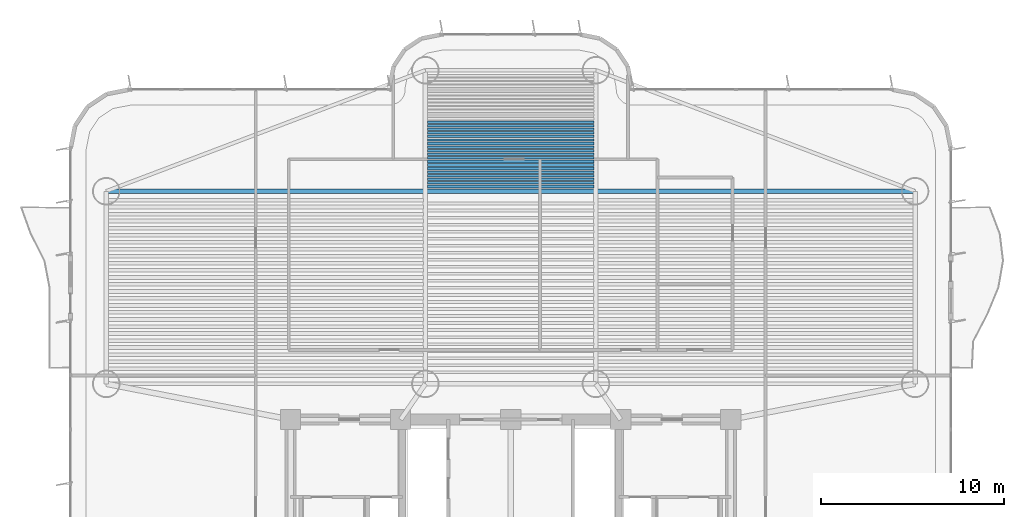
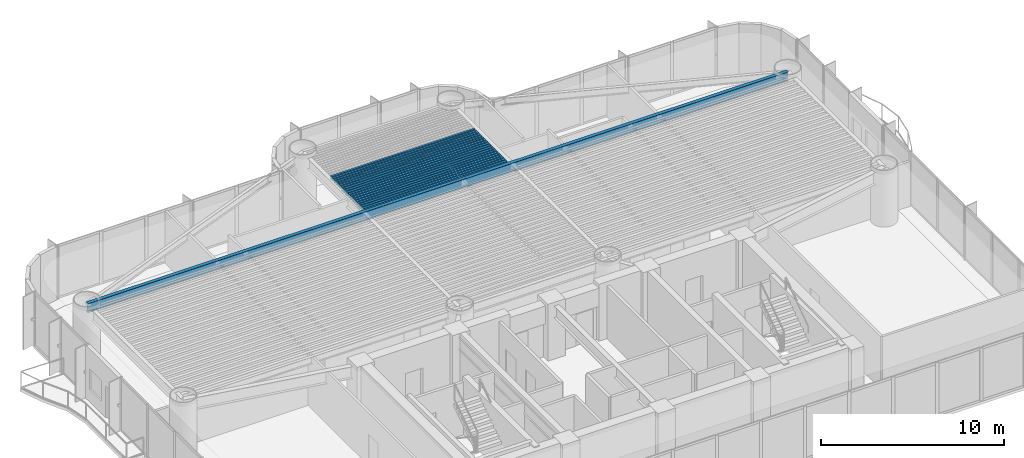
# One storey, part 4 of 16: 20 beams.
"""IFC4 building model written with IfcOpenShell, lengths in metres."""

from ifc_helpers import new_model, si_unit, direction, frame, origin, origin_2d, place, context, subcontext, project, spatial, i_section, extrude, source, transform, mapped, material, material_profile, profile_set, type_object, element, save


model = new_model("IFC4")

# Units and contexts
model_context = context("Model", 3, precision=1e-05, world=origin(), true_north=direction((0.0, 1.0)))
body_context = subcontext(model_context, "Body", "Model", "MODEL_VIEW")
ifc_project = project(units=[si_unit("LENGTHUNIT", "METRE"), si_unit("AREAUNIT", "SQUARE_METRE"), si_unit("VOLUMEUNIT", "CUBIC_METRE"), si_unit("PLANEANGLEUNIT", "RADIAN"), si_unit("MASSUNIT", "GRAM", prefix="KILO")], contexts=[model_context])

# Site, building, storey
site_placement = place(None, origin())
site = spatial("IfcSite", under=ifc_project, at=site_placement, CompositionType="ELEMENT")
building_placement = place(site_placement, origin())
building = spatial("IfcBuilding", under=site, at=building_placement, Name="Brelvock Crest Care Tower", CompositionType="ELEMENT")
storey_placement = place(building_placement, frame((0.0, 0.0, 57.239990234375)))
storey = spatial("IfcBuildingStorey", under=building, at=storey_placement, Name="L14", CompositionType="ELEMENT", Elevation=57.239990234375)

# Beams
ifc_material = material(Name="Steel Grade 350", Category="steel")
ifc_material_profile_1 = material_profile(ifc_material, i_section(OverallWidth=0.22900390625, OverallDepth=0.612060546875, WebThickness=0.011962890625, FlangeThickness=0.01953125, FilletRadius=0.013916015625, at=origin_2d()), Name="610UB125")
ifc_profile_set_1 = profile_set([ifc_material_profile_1], Name="Steel Grade 350")
beam_type_1 = type_object("IfcBeamType", Name="BM-G1", PredefinedType="BEAM", material=ifc_profile_set_1)
shared_shape_1 = source(origin(), body_context, "Body", "SweptSolid", [
    extrude(i_section(OverallWidth=0.22900390625, OverallDepth=0.612060546875, WebThickness=0.011962890625, FlangeThickness=0.01953125, FilletRadius=0.013916015625, at=origin_2d()), origin(), (0.0, 0.0, 1.0), 44.10009765625),
])
beam_placement = place(storey_placement, frame((13.949951171875, 30.449951171875, 3.22412109375), z_axis=(1.0, 0.0, 0.0), x_axis=(0.0, 1.0, 0.0)))
element("IfcBeam", 1, at=beam_placement, inside=storey, type_object=beam_type_1, Name="BM-TWR-L14-11", PredefinedType="BEAM", context=body_context, shape_type="MappedRepresentation", body=[
    mapped(shared_shape_1, transform((0.0, 0.0, 0.0), x_axis=(1.0, 0.0, 0.0), y_axis=(0.0, 1.0, 0.0), z_axis=(0.0, 0.0, 1.0), scale=1.0)),
])
ifc_material_profile_2 = material_profile(ifc_material, i_section(OverallWidth=0.14599609375, OverallDepth=0.256103515625, WebThickness=0.00634765625, FlangeThickness=0.010986328125, FilletRadius=0.0087890625, at=origin_2d()), Name="250UB37.3")
ifc_profile_set_2 = profile_set([ifc_material_profile_2], Name="Steel Grade 350")
beam_type_2 = type_object("IfcBeamType", Name="BM-J3", PredefinedType="JOIST", material=ifc_profile_set_2)
shared_shape_2 = source(origin(), body_context, "Body", "SweptSolid", [
    extrude(i_section(OverallWidth=0.14599609375, OverallDepth=0.256103515625, WebThickness=0.00634765625, FlangeThickness=0.010986328125, FilletRadius=0.0087890625, at=origin_2d()), origin(), (0.0, 0.0, 1.0), 9.06982421875),
])
for number, where, z_axis, x_axis, name in (
    (2, (31.465087890625, 30.714111328125, 3.402099609375), (1.0, 0.0, 0.0), (0.0, 1.0, 0.0), "BM-JN-L14-1"),
    (3, (31.465087890625, 30.90869140625, 3.402099609375), (1.0, 0.0, 0.0), (0.0, 1.0, 0.0), "BM-JN-L14-2"),
    (4, (31.465087890625, 31.103515625, 3.402099609375), (1.0, 0.0, 0.0), (0.0, 1.0, 0.0), "BM-JN-L14-3"),
    (5, (31.465087890625, 31.298095703125, 3.402099609375), (1.0, 0.0, 0.0), (0.0, 1.0, 0.0), "BM-JN-L14-4"),
    (6, (31.465087890625, 31.492919921875, 3.402099609375), (1.0, 0.0, 0.0), (0.0, 1.0, 0.0), "BM-JN-L14-5"),
    (7, (31.465087890625, 31.6875, 3.402099609375), (1.0, 0.0, 0.0), (0.0, 1.0, 0.0), "BM-JN-L14-6"),
    (8, (31.465087890625, 31.882080078125, 3.402099609375), (1.0, 0.0, 0.0), (0.0, 1.0, 0.0), "BM-JN-L14-7"),
    (9, (31.465087890625, 32.076904296875, 3.402099609375), (1.0, 0.0, 0.0), (0.0, 1.0, 0.0), "BM-JN-L14-8"),
    (10, (31.465087890625, 32.271484375, 3.402099609375), (1.0, 0.0, 0.0), (0.0, 1.0, 0.0), "BM-JN-L14-9"),
    (11, (31.465087890625, 32.46630859375, 3.402099609375), (1.0, 0.0, 0.0), (0.0, 1.0, 0.0), "BM-JN-L14-10"),
    (12, (31.465087890625, 32.660888671875, 3.402099609375), (1.0, 0.0, 0.0), (0.0, 1.0, 0.0), "BM-JN-L14-11"),
    (13, (31.465087890625, 32.855712890625, 3.402099609375), (1.0, 0.0, 0.0), (0.0, 1.0, 0.0), "BM-JN-L14-12"),
    (14, (31.465087890625, 33.05029296875, 3.402099609375), (1.0, 0.0, 0.0), (0.0, 1.0, 0.0), "BM-JN-L14-13"),
):
    element("IfcBeam", number, at=place(storey_placement, frame(where, z_axis=z_axis, x_axis=x_axis)), inside=storey, type_object=beam_type_2, Name=name, PredefinedType="JOIST", context=body_context, shape_type="MappedRepresentation", body=[
        mapped(shared_shape_2, transform((0.0, 0.0, 0.0), x_axis=(1.0, 0.0, 0.0), y_axis=(0.0, 1.0, 0.0), z_axis=(0.0, 0.0, 1.0), scale=1.0)),
    ])
ifc_material_profile_3 = material_profile(ifc_material, i_section(OverallWidth=0.134033203125, OverallDepth=0.20703125, WebThickness=0.00634765625, FlangeThickness=0.009521484375, FilletRadius=0.0087890625, at=origin_2d()), Name="200UB29.8")
ifc_profile_set_3 = profile_set([ifc_material_profile_3], Name="Steel Grade 350")
beam_type_3 = type_object("IfcBeamType", Name="BM-J4", PredefinedType="JOIST", material=ifc_profile_set_3)
shared_shape_3 = source(origin(), body_context, "Body", "SweptSolid", [
    extrude(i_section(OverallWidth=0.134033203125, OverallDepth=0.20703125, WebThickness=0.00634765625, FlangeThickness=0.009521484375, FilletRadius=0.0087890625, at=origin_2d()), origin(), (0.0, 0.0, 1.0), 9.06982421875),
])
for number, where, z_axis, x_axis, name in (
    (15, (31.465087890625, 33.2451171875, 3.426513671875), (1.0, 0.0, 0.0), (0.0, 1.0, 0.0), "BM-JN-L14-14"),
    (16, (31.465087890625, 33.439697265625, 3.426513671875), (1.0, 0.0, 0.0), (0.0, 1.0, 0.0), "BM-JN-L14-15"),
    (17, (31.465087890625, 33.634521484375, 3.426513671875), (1.0, 0.0, 0.0), (0.0, 1.0, 0.0), "BM-JN-L14-16"),
    (18, (31.465087890625, 33.8291015625, 3.426513671875), (1.0, 0.0, 0.0), (0.0, 1.0, 0.0), "BM-JN-L14-17"),
    (19, (31.465087890625, 34.02392578125, 3.426513671875), (1.0, 0.0, 0.0), (0.0, 1.0, 0.0), "BM-JN-L14-18"),
    (20, (31.465087890625, 34.218505859375, 3.426513671875), (1.0, 0.0, 0.0), (0.0, 1.0, 0.0), "BM-JN-L14-19"),
):
    element("IfcBeam", number, at=place(storey_placement, frame(where, z_axis=z_axis, x_axis=x_axis)), inside=storey, type_object=beam_type_3, Name=name, PredefinedType="JOIST", context=body_context, shape_type="MappedRepresentation", body=[
        mapped(shared_shape_3, transform((0.0, 0.0, 0.0), x_axis=(1.0, 0.0, 0.0), y_axis=(0.0, 1.0, 0.0), z_axis=(0.0, 0.0, 1.0), scale=1.0)),
    ])

save(model, "model.ifc")
